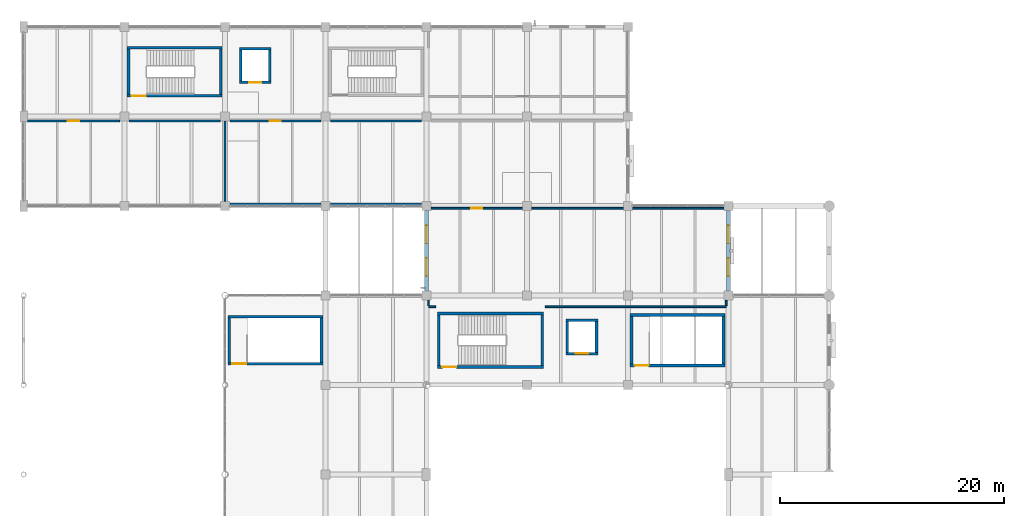
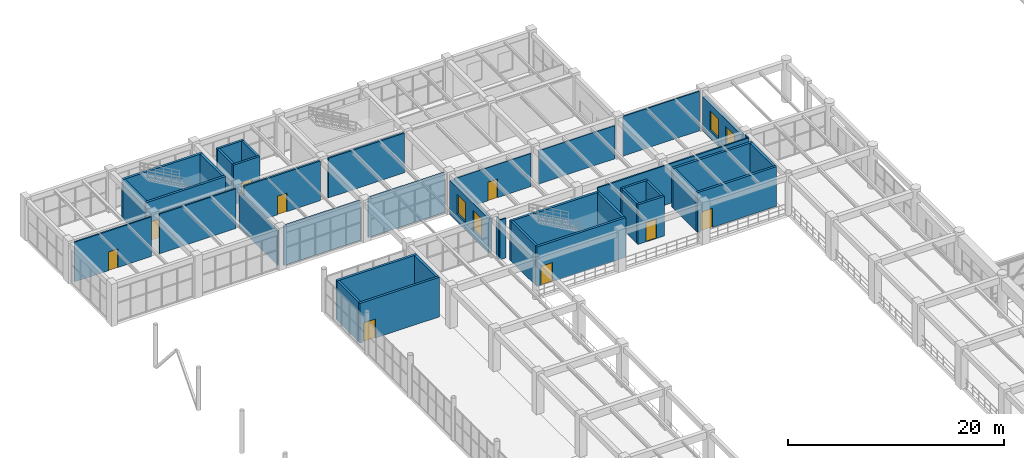
# One storey, part 154 of 178: 40 walls, 9 doors, 4 windows, 13 openings.
"""IFC4 building model written with IfcOpenShell, lengths in metres."""

from ifc_helpers import new_model, si_unit, derived_unit, direction, frame, frame_2d, origin, place, context, subcontext, project, spatial, rectangle, extrude, material, layer, layer_set, type_object, element, fill, save


model = new_model("IFC4")

# Units and contexts
model_context = context("Model", 3, precision=1e-05, world=origin(), true_north=direction((0.0, 1.0)))
body_context = subcontext(model_context, "Body", "Model", "MODEL_VIEW")
ifc_project = project(units=[si_unit("LENGTHUNIT", "METRE"), si_unit("AREAUNIT", "SQUARE_METRE"), si_unit("VOLUMEUNIT", "CUBIC_METRE"), si_unit("PLANEANGLEUNIT", "RADIAN"), si_unit("MASSUNIT", "GRAM", prefix="KILO"), derived_unit("THERMALTRANSMITTANCEUNIT", [(si_unit("MASSUNIT", "GRAM", prefix="KILO"), 1), (si_unit("TIMEUNIT", "SECOND"), -3), (si_unit("THERMODYNAMICTEMPERATUREUNIT", "KELVIN"), -1)])], contexts=[model_context])

# Site, building, storey
site_placement = place(None, origin())
site = spatial("IfcSite", under=ifc_project, at=site_placement, CompositionType="ELEMENT")
building_placement = place(site_placement, origin())
building = spatial("IfcBuilding", under=site, at=building_placement, Name="Zhenchuan Archway Interchange", CompositionType="ELEMENT")
storey_placement = place(building_placement, frame((0.0, 0.0, 5.39990234375)))
storey = spatial("IfcBuildingStorey", under=building, at=storey_placement, Name="L01", CompositionType="ELEMENT", Elevation=5.39990234375)

# Wall, openings, windows
ifc_material_1 = material(Name="Terracotta Masonry", Category="masonry")
ifc_layer_1 = layer(ifc_material_1, 0.340087890625)
ifc_layer_set_1 = layer_set([ifc_layer_1], Name="Terracotta Masonry")
wall_type_1 = type_object("IfcWallType", Name="EW_TERRA_340", PredefinedType="STANDARD", material=ifc_layer_set_1)
wall_1_placement = place(storey_placement, frame((36.0, 88.39794921875, 0.0), z_axis=(0.0, 0.0, 1.0), x_axis=(0.0, 1.0, 0.0)))
wall_1 = element("IfcWall", 1, at=wall_1_placement, inside=storey, type_object=wall_type_1, Name="Exterior wall L01-013", PredefinedType="STANDARD", context=body_context, shape_type="SweptSolid", body=[
    extrude(rectangle(XDim=7.2041015625, YDim=0.340087890625, at=frame_2d((3.60205078125, 0.0))), origin(), (0.0, 0.0, 1.0), 3.860107421875),
])
opening_1_placement = place(wall_1_placement, frame((1.334716796875, 0.0, 0.89990234375)))
opening_1 = element("IfcOpeningElement", 2, at=opening_1_placement, cuts=wall_1, Name="Opening W-04", PredefinedType="OPENING", context=body_context, shape_type="SweptSolid", body=[
    extrude(rectangle(XDim=1.60009765625, YDim=2.199951171875, at=frame_2d((0.800048828125, 1.10009765625))), frame((0.0, 0.18212890625, 0.0), z_axis=(0.0, -1.0, 0.0), x_axis=(1.0, 0.0, 0.0)), (0.0, 0.0, 1.0), 0.364013671875),
])
opening_2_placement = place(wall_1_placement, frame((4.269287109375, 0.0, 0.89990234375)))
opening_2 = element("IfcOpeningElement", 3, at=opening_2_placement, cuts=wall_1, Name="Opening W-04", PredefinedType="OPENING", context=body_context, shape_type="SweptSolid", body=[
    extrude(rectangle(XDim=1.60009765625, YDim=2.199951171875, at=frame_2d((0.800048828125, 1.10009765625))), frame((0.0, 0.18212890625, 0.0), z_axis=(0.0, -1.0, 0.0), x_axis=(1.0, 0.0, 0.0)), (0.0, 0.0, 1.0), 0.364013671875),
])
ifc_material_2 = material(Name="Double Low-E Insulated Glazing", Category="glass")
window_type = type_object("IfcWindowType", Name="WN_PUNCH_1600x2200", PartitioningType="SINGLE_PANEL", PredefinedType="WINDOW", material=ifc_material_2)
window_1_placement = place(opening_1_placement, origin())
window_1 = element("IfcWindow", 4, at=window_1_placement, inside=storey, type_object=window_type, Name="Window L01-0106", OverallHeight=2.199951171875, OverallWidth=1.60009765625, PartitioningType="SINGLE_PANEL", PredefinedType="WINDOW", context=body_context, shape_type="SweptSolid", body=[
    extrude(rectangle(XDim=1.60009765625, YDim=2.199951171875, at=frame_2d((0.800048828125, 1.10009765625))), frame((0.0, 0.030029296875, 0.0), z_axis=(0.0, -1.0, 0.0), x_axis=(1.0, 0.0, 0.0)), (0.0, 0.0, 1.0), 0.06005859375),
])
fill(opening_1, window_1)
window_2_placement = place(opening_2_placement, origin())
window_2 = element("IfcWindow", 5, at=window_2_placement, inside=storey, type_object=window_type, Name="Window L01-0107", OverallHeight=2.199951171875, OverallWidth=1.60009765625, PartitioningType="SINGLE_PANEL", PredefinedType="WINDOW", context=body_context, shape_type="SweptSolid", body=[
    extrude(rectangle(XDim=1.60009765625, YDim=2.199951171875, at=frame_2d((0.800048828125, 1.10009765625))), frame((0.0, 0.030029296875, 0.0), z_axis=(0.0, -1.0, 0.0), x_axis=(1.0, 0.0, 0.0)), (0.0, 0.0, 1.0), 0.06005859375),
])
fill(opening_2, window_2)

wall_2_placement = place(storey_placement, frame((63.0, 95.60205078125, 0.0), z_axis=(0.0, 0.0, 1.0), x_axis=(0.0, -1.0, 0.0)))
wall_2 = element("IfcWall", 6, at=wall_2_placement, inside=storey, type_object=wall_type_1, Name="Exterior wall L01-029", PredefinedType="STANDARD", context=body_context, shape_type="SweptSolid", body=[
    extrude(rectangle(XDim=7.2041015625, YDim=0.340087890625, at=frame_2d((3.60205078125, 0.0))), origin(), (0.0, 0.0, 1.0), 3.860107421875),
])
opening_3_placement = place(wall_2_placement, frame((1.334716796875, 0.0, 0.89990234375)))
opening_3 = element("IfcOpeningElement", 7, at=opening_3_placement, cuts=wall_2, Name="Opening W-04", PredefinedType="OPENING", context=body_context, shape_type="SweptSolid", body=[
    extrude(rectangle(XDim=1.60009765625, YDim=2.199951171875, at=frame_2d((0.800048828125, 1.10009765625))), frame((0.0, 0.18212890625, 0.0), z_axis=(0.0, -1.0, 0.0), x_axis=(1.0, 0.0, 0.0)), (0.0, 0.0, 1.0), 0.364013671875),
])
opening_4_placement = place(wall_2_placement, frame((4.269287109375, 0.0, 0.89990234375)))
opening_4 = element("IfcOpeningElement", 8, at=opening_4_placement, cuts=wall_2, Name="Opening W-04", PredefinedType="OPENING", context=body_context, shape_type="SweptSolid", body=[
    extrude(rectangle(XDim=1.60009765625, YDim=2.199951171875, at=frame_2d((0.800048828125, 1.10009765625))), frame((0.0, 0.18212890625, 0.0), z_axis=(0.0, -1.0, 0.0), x_axis=(1.0, 0.0, 0.0)), (0.0, 0.0, 1.0), 0.364013671875),
])
window_3_placement = place(opening_3_placement, origin())
window_3 = element("IfcWindow", 9, at=window_3_placement, inside=storey, type_object=window_type, Name="Window L01-0112", OverallHeight=2.199951171875, OverallWidth=1.60009765625, PartitioningType="SINGLE_PANEL", PredefinedType="WINDOW", context=body_context, shape_type="SweptSolid", body=[
    extrude(rectangle(XDim=1.60009765625, YDim=2.199951171875, at=frame_2d((0.800048828125, 1.10009765625))), frame((0.0, 0.030029296875, 0.0), z_axis=(0.0, -1.0, 0.0), x_axis=(1.0, 0.0, 0.0)), (0.0, 0.0, 1.0), 0.06005859375),
])
fill(opening_3, window_3)
window_4_placement = place(opening_4_placement, origin())
window_4 = element("IfcWindow", 10, at=window_4_placement, inside=storey, type_object=window_type, Name="Window L01-0113", OverallHeight=2.199951171875, OverallWidth=1.60009765625, PartitioningType="SINGLE_PANEL", PredefinedType="WINDOW", context=body_context, shape_type="SweptSolid", body=[
    extrude(rectangle(XDim=1.60009765625, YDim=2.199951171875, at=frame_2d((0.800048828125, 1.10009765625))), frame((0.0, 0.030029296875, 0.0), z_axis=(0.0, -1.0, 0.0), x_axis=(1.0, 0.0, 0.0)), (0.0, 0.0, 1.0), 0.06005859375),
])
fill(opening_4, window_4)

# Wall, opening, door
ifc_material_3 = material(Name="Concrete C40", Category="concrete")
ifc_layer_2 = layer(ifc_material_3, 0.239990234375)
ifc_layer_set_2 = layer_set([ifc_layer_2], Name="Concrete C40")
wall_type_2 = type_object("IfcWallType", Name="WL_LIFT_240", PredefinedType="SHEAR", material=ifc_layer_set_2)
wall_3_placement = place(storey_placement, frame((48.47998046875, 82.800048828125, 0.0), z_axis=(0.0, 0.0, 1.0), x_axis=(1.0, 0.0, 0.0)))
wall_3 = element("IfcWall", 11, at=wall_3_placement, inside=storey, type_object=wall_type_2, Name="Lift LF-02 south shaft wall (L01)", PredefinedType="SHEAR", context=body_context, shape_type="SweptSolid", body=[
    extrude(rectangle(XDim=2.840087890625, YDim=0.239990234375, at=frame_2d((1.419921875, 0.0))), origin(), (0.0, 0.0, 1.0), 4.47998046875),
])
opening_5_placement = place(wall_3_placement, frame((0.8701171875, 0.0, 0.0)))
opening_5 = element("IfcOpeningElement", 12, at=opening_5_placement, cuts=wall_3, Name="Opening LD-01", PredefinedType="OPENING", context=body_context, shape_type="SweptSolid", body=[
    extrude(rectangle(XDim=1.10009765625, YDim=2.199951171875, at=frame_2d((0.550048828125, 1.10009765625))), frame((0.0, 0.1318359375, 0.0), z_axis=(0.0, -1.0, 0.0), x_axis=(1.0, 0.0, 0.0)), (0.0, 0.0, 1.0), 0.263916015625),
])
ifc_material_4 = material(Name="Stainless Steel 304", Category="steel")
door_type_1 = type_object("IfcDoorType", Name="DR_LIFT_LD110", OperationType="DOUBLE_DOOR_SLIDING", PredefinedType="DOOR", material=ifc_material_4)
door_1_placement = place(opening_5_placement, origin())
door_1 = element("IfcDoor", 13, at=door_1_placement, inside=storey, type_object=door_type_1, Name="Lift LF-02 landing door (L01)", OperationType="DOUBLE_DOOR_SLIDING", OverallHeight=2.199951171875, OverallWidth=1.10009765625, PredefinedType="DOOR", context=body_context, shape_type="SweptSolid", body=[
    extrude(rectangle(XDim=1.10009765625, YDim=2.199951171875, at=frame_2d((0.550048828125, 1.10009765625))), frame((0.0, 0.02490234375, 0.0), z_axis=(0.0, -1.0, 0.0), x_axis=(1.0, 0.0, 0.0)), (0.0, 0.0, 1.0), 0.050048828125),
])
fill(opening_5, door_1)

# Walls
wall_4_placement = place(storey_placement, frame((51.320068359375, 85.800048828125, 0.0), z_axis=(0.0, 0.0, 1.0), x_axis=(-1.0, 0.0, 0.0)))
element("IfcWall", 14, at=wall_4_placement, inside=storey, type_object=wall_type_2, Name="Lift LF-02 north shaft wall (L01)", PredefinedType="SHEAR", context=body_context, shape_type="SweptSolid", body=[
    extrude(rectangle(XDim=2.840087890625, YDim=0.239990234375, at=frame_2d((1.419921875, 0.0))), origin(), (0.0, 0.0, 1.0), 4.47998046875),
])
for number, where, z_axis, x_axis, name in (
    (15, (48.60009765625, 85.679931640625, 0.0), (0.0, 0.0, 1.0), (0.0, -1.0, 0.0), "Lift LF-02 west shaft wall (L01)"),
    (16, (51.199951171875, 82.919921875, 0.0), (0.0, 0.0, 1.0), (0.0, 1.0, 0.0), "Lift LF-02 east shaft wall (L01)"),
):
    element("IfcWall", number, at=place(storey_placement, frame(where, z_axis=z_axis, x_axis=x_axis)), inside=storey, type_object=wall_type_2, Name=name, PredefinedType="SHEAR", context=body_context, shape_type="SweptSolid", body=[
        extrude(rectangle(XDim=2.760009765625, YDim=0.239990234375, at=frame_2d((1.3798828125, 0.0))), origin(), (0.0, 0.0, 1.0), 4.47998046875),
    ])

# Wall, opening, door
wall_5_placement = place(storey_placement, frame((19.280029296875, 107.050048828125, 0.0), z_axis=(0.0, 0.0, 1.0), x_axis=(1.0, 0.0, 0.0)))
wall_5 = element("IfcWall", 17, at=wall_5_placement, inside=storey, type_object=wall_type_2, Name="Lift LF-04 south shaft wall (L01)", PredefinedType="SHEAR", context=body_context, shape_type="SweptSolid", body=[
    extrude(rectangle(XDim=2.840087890625, YDim=0.239990234375, at=frame_2d((1.419921875, 0.0))), origin(), (0.0, 0.0, 1.0), 4.47998046875),
])
opening_6_placement = place(wall_5_placement, frame((0.8701171875, 0.0, 0.0)))
opening_6 = element("IfcOpeningElement", 18, at=opening_6_placement, cuts=wall_5, Name="Opening LD-01", PredefinedType="OPENING", context=body_context, shape_type="SweptSolid", body=[
    extrude(rectangle(XDim=1.10009765625, YDim=2.199951171875, at=frame_2d((0.550048828125, 1.10009765625))), frame((0.0, 0.1318359375, 0.0), z_axis=(0.0, -1.0, 0.0), x_axis=(1.0, 0.0, 0.0)), (0.0, 0.0, 1.0), 0.263916015625),
])
door_2_placement = place(opening_6_placement, origin())
door_2 = element("IfcDoor", 19, at=door_2_placement, inside=storey, type_object=door_type_1, Name="Lift LF-04 landing door (L01)", OperationType="DOUBLE_DOOR_SLIDING", OverallHeight=2.199951171875, OverallWidth=1.10009765625, PredefinedType="DOOR", context=body_context, shape_type="SweptSolid", body=[
    extrude(rectangle(XDim=1.10009765625, YDim=2.199951171875, at=frame_2d((0.550048828125, 1.10009765625))), frame((0.0, 0.02490234375, 0.0), z_axis=(0.0, -1.0, 0.0), x_axis=(1.0, 0.0, 0.0)), (0.0, 0.0, 1.0), 0.050048828125),
])
fill(opening_6, door_2)

# Walls
wall_6_placement = place(storey_placement, frame((22.1201171875, 110.050048828125, 0.0), z_axis=(0.0, 0.0, 1.0), x_axis=(-1.0, 0.0, 0.0)))
element("IfcWall", 20, at=wall_6_placement, inside=storey, type_object=wall_type_2, Name="Lift LF-04 north shaft wall (L01)", PredefinedType="SHEAR", context=body_context, shape_type="SweptSolid", body=[
    extrude(rectangle(XDim=2.840087890625, YDim=0.239990234375, at=frame_2d((1.419921875, 0.0))), origin(), (0.0, 0.0, 1.0), 4.47998046875),
])
for number, where, z_axis, x_axis, name in (
    (21, (19.39990234375, 109.929931640625, 0.0), (0.0, 0.0, 1.0), (0.0, -1.0, 0.0), "Lift LF-04 west shaft wall (L01)"),
    (22, (22.0, 107.169921875, 0.0), (0.0, 0.0, 1.0), (0.0, 1.0, 0.0), "Lift LF-04 east shaft wall (L01)"),
):
    element("IfcWall", number, at=place(storey_placement, frame(where, z_axis=z_axis, x_axis=x_axis)), inside=storey, type_object=wall_type_2, Name=name, PredefinedType="SHEAR", context=body_context, shape_type="SweptSolid", body=[
        extrude(rectangle(XDim=2.760009765625, YDim=0.239990234375, at=frame_2d((1.3798828125, 0.0))), origin(), (0.0, 0.0, 1.0), 4.47998046875),
    ])
ifc_material_5 = material(Name="Gypsum Plasterboard", Category="gypsum")
ifc_layer_3 = layer(ifc_material_5, 0.14990234375)
ifc_layer_set_3 = layer_set([ifc_layer_3], Name="Gypsum Plasterboard")
wall_type_3 = type_object("IfcWallType", Name="WL_PART_150", PredefinedType="STANDARD", material=ifc_layer_set_3)
wall_7_placement = place(storey_placement, frame((36.199951171875, 87.0, 0.0), z_axis=(0.0, 0.0, 1.0), x_axis=(1.0, 0.0, 0.0)))
element("IfcWall", 23, at=wall_7_placement, inside=storey, type_object=wall_type_3, Name="North Mezzanine Tea and Espresso Bar S partition (L01)", PredefinedType="STANDARD", context=body_context, shape_type="SweptSolid", body=[
    extrude(rectangle(XDim=0.625, YDim=0.14990234375, at=frame_2d((0.3125, 0.0))), origin(), (0.0, 0.0, 1.0), 4.47998046875),
])
wall_8_placement = place(storey_placement, frame((46.625, 87.0, 0.0), z_axis=(0.0, 0.0, 1.0), x_axis=(1.0, 0.0, 0.0)))
element("IfcWall", 24, at=wall_8_placement, inside=storey, type_object=wall_type_3, Name="North Mezzanine Tea and Espresso Bar S partition (L01)", PredefinedType="STANDARD", context=body_context, shape_type="SweptSolid", body=[
    extrude(rectangle(XDim=16.175048828125, YDim=0.14990234375, at=frame_2d((8.08740234375, 0.0))), origin(), (0.0, 0.0, 1.0), 4.47998046875),
])

# Wall, opening, door
wall_9_placement = place(storey_placement, frame((36.425048828125, 95.800048828125, 0.0), z_axis=(0.0, 0.0, 1.0), x_axis=(1.0, 0.0, 0.0)))
wall_9 = element("IfcWall", 25, at=wall_9_placement, inside=storey, type_object=wall_type_3, Name="North Mezzanine Tea and Espresso Bar N partition (L01)", PredefinedType="STANDARD", context=body_context, shape_type="SweptSolid", body=[
    extrude(rectangle(XDim=8.14990234375, YDim=0.14990234375, at=frame_2d((4.074951171875, 0.0))), origin(), (0.0, 0.0, 1.0), 3.760009765625),
])
opening_7_placement = place(wall_9_placement, frame((3.574951171875, 0.0, 0.0)))
opening_7 = element("IfcOpeningElement", 26, at=opening_7_placement, cuts=wall_9, Name="Opening ID-02", PredefinedType="OPENING", context=body_context, shape_type="SweptSolid", body=[
    extrude(rectangle(XDim=1.0, YDim=2.10009765625, at=frame_2d((0.5, 1.050048828125))), frame((0.0, 0.0869140625, 0.0), z_axis=(0.0, -1.0, 0.0), x_axis=(1.0, 0.0, 0.0)), (0.0, 0.0, 1.0), 0.173828125),
])
ifc_material_6 = material(Name="Hardwood Timber", Category="wood")
door_type_2 = type_object("IfcDoorType", Name="DR_OPS_100", OperationType="NOTDEFINED", PredefinedType="DOOR", material=ifc_material_6)
door_3_placement = place(opening_7_placement, origin())
door_3 = element("IfcDoor", 27, at=door_3_placement, inside=storey, type_object=door_type_2, Name="North Mezzanine Tea and Espresso Bar door (L01)", OperationType="SINGLE_SWING_LEFT", OverallHeight=2.10009765625, OverallWidth=1.0, PredefinedType="DOOR", context=body_context, shape_type="SweptSolid", body=[
    extrude(rectangle(XDim=1.0, YDim=2.10009765625, at=frame_2d((0.5, 1.050048828125))), frame((0.0, 0.02490234375, 0.0), z_axis=(0.0, -1.0, 0.0), x_axis=(1.0, 0.0, 0.0)), (0.0, 0.0, 1.0), 0.050048828125),
])
fill(opening_7, door_3)

# Walls
wall_10_placement = place(storey_placement, frame((45.425048828125, 95.800048828125, 0.0), z_axis=(0.0, 0.0, 1.0), x_axis=(1.0, 0.0, 0.0)))
element("IfcWall", 28, at=wall_10_placement, inside=storey, type_object=wall_type_3, Name="North Mezzanine Tea and Espresso Bar N partition (L01)", PredefinedType="STANDARD", context=body_context, shape_type="SweptSolid", body=[
    extrude(rectangle(XDim=8.14990234375, YDim=0.14990234375, at=frame_2d((4.074951171875, 0.0))), origin(), (0.0, 0.0, 1.0), 3.760009765625),
])
wall_11_placement = place(storey_placement, frame((54.425048828125, 95.800048828125, 0.0), z_axis=(0.0, 0.0, 1.0), x_axis=(1.0, 0.0, 0.0)))
element("IfcWall", 29, at=wall_11_placement, inside=storey, type_object=wall_type_3, Name="North Mezzanine Tea and Espresso Bar N partition (L01)", PredefinedType="STANDARD", context=body_context, shape_type="SweptSolid", body=[
    extrude(rectangle(XDim=8.14990234375, YDim=0.14990234375, at=frame_2d((4.074951171875, 0.0))), origin(), (0.0, 0.0, 1.0), 4.47998046875),
])
for number, where, z_axis, x_axis, name in (
    (30, (36.199951171875, 87.0849609375, 0.0), (0.0, 0.0, 1.0), (0.0, 1.0, 0.0), "North Mezzanine Tea and Espresso Bar W partition (L01)"),
    (31, (62.800048828125, 87.0849609375, 0.0), (0.0, 0.0, 1.0), (0.0, 1.0, 0.0), "North Mezzanine Tea and Espresso Bar E partition (L01)"),
):
    element("IfcWall", number, at=place(storey_placement, frame(where, z_axis=z_axis, x_axis=x_axis)), inside=storey, type_object=wall_type_3, Name=name, PredefinedType="STANDARD", context=body_context, shape_type="SweptSolid", body=[
        extrude(rectangle(XDim=0.489990234375, YDim=0.14990234375, at=frame_2d((0.2451171875, 0.0))), origin(), (0.0, 0.0, 1.0), 4.47998046875),
    ])

# Wall, opening, door
wall_12_placement = place(storey_placement, frame((0.35009765625, 103.60009765625, 0.0), z_axis=(0.0, 0.0, 1.0), x_axis=(1.0, 0.0, 0.0)))
wall_12 = element("IfcWall", 32, at=wall_12_placement, inside=storey, type_object=wall_type_3, Name="Convenience Travel Shop N partition (L01)", PredefinedType="STANDARD", context=body_context, shape_type="SweptSolid", body=[
    extrude(rectangle(XDim=8.224853515625, YDim=0.14990234375, at=frame_2d((4.1123046875, 0.0))), origin(), (0.0, 0.0, 1.0), 4.47998046875),
])
opening_8_placement = place(wall_12_placement, frame((3.612548828125, 0.0, 0.0)))
opening_8 = element("IfcOpeningElement", 33, at=opening_8_placement, cuts=wall_12, Name="Opening ID-02", PredefinedType="OPENING", context=body_context, shape_type="SweptSolid", body=[
    extrude(rectangle(XDim=1.0, YDim=2.10009765625, at=frame_2d((0.5, 1.050048828125))), frame((0.0, 0.0869140625, 0.0), z_axis=(0.0, -1.0, 0.0), x_axis=(1.0, 0.0, 0.0)), (0.0, 0.0, 1.0), 0.173828125),
])
door_4_placement = place(opening_8_placement, origin())
door_4 = element("IfcDoor", 34, at=door_4_placement, inside=storey, type_object=door_type_2, Name="Convenience Travel Shop door (L01)", OperationType="SINGLE_SWING_RIGHT", OverallHeight=2.10009765625, OverallWidth=1.0, PredefinedType="DOOR", context=body_context, shape_type="SweptSolid", body=[
    extrude(rectangle(XDim=1.0, YDim=2.10009765625, at=frame_2d((0.5, 1.050048828125))), frame((0.0, 0.02490234375, 0.0), z_axis=(0.0, -1.0, 0.0), x_axis=(1.0, 0.0, 0.0)), (0.0, 0.0, 1.0), 0.050048828125),
])
fill(opening_8, door_4)

# Walls
wall_13_placement = place(storey_placement, frame((9.425048828125, 103.60009765625, 0.0), z_axis=(0.0, 0.0, 1.0), x_axis=(1.0, 0.0, 0.0)))
element("IfcWall", 35, at=wall_13_placement, inside=storey, type_object=wall_type_3, Name="Convenience Travel Shop N partition (L01)", PredefinedType="STANDARD", context=body_context, shape_type="SweptSolid", body=[
    extrude(rectangle(XDim=8.14990234375, YDim=0.14990234375, at=frame_2d((4.074951171875, 0.0))), origin(), (0.0, 0.0, 1.0), 4.47998046875),
])
wall_14_placement = place(storey_placement, frame((18.0, 96.425048828125, 0.0), z_axis=(0.0, 0.0, 1.0), x_axis=(0.0, 1.0, 0.0)))
element("IfcWall", 36, at=wall_14_placement, inside=storey, type_object=wall_type_3, Name="Convenience Travel Shop E partition (L01)", PredefinedType="STANDARD", context=body_context, shape_type="SweptSolid", body=[
    extrude(rectangle(XDim=7.14990234375, YDim=0.14990234375, at=frame_2d((3.574951171875, 0.0))), origin(), (0.0, 0.0, 1.0), 3.860107421875),
])
ifc_material_7 = material(Name="Concrete Block Masonry", Category="masonry")
ifc_layer_4 = layer(ifc_material_7, 0.179931640625)
ifc_layer_set_4 = layer_set([ifc_layer_4], Name="Concrete Block Masonry")
wall_type_4 = type_object("IfcWallType", Name="WL_PART_180", PredefinedType="STANDARD", material=ifc_layer_set_4)
for number, where, z_axis, x_axis, name in (
    (37, (18.425048828125, 96.199951171875, 0.0), (0.0, 0.0, 1.0), (1.0, 0.0, 0.0), "Intercity Coach Quiet Lounge S partition (L01)"),
    (38, (27.425048828125, 96.199951171875, 0.0), (0.0, 0.0, 1.0), (1.0, 0.0, 0.0), "Intercity Coach Quiet Lounge S partition (L01)"),
):
    element("IfcWall", number, at=place(storey_placement, frame(where, z_axis=z_axis, x_axis=x_axis)), inside=storey, type_object=wall_type_4, Name=name, PredefinedType="STANDARD", context=body_context, shape_type="SweptSolid", body=[
        extrude(rectangle(XDim=8.14990234375, YDim=0.179931640625, at=frame_2d((4.074951171875, 0.0))), origin(), (0.0, 0.0, 1.0), 4.47998046875),
    ])

# Wall, opening, door
wall_15_placement = place(storey_placement, frame((18.425048828125, 103.60009765625, 0.0), z_axis=(0.0, 0.0, 1.0), x_axis=(1.0, 0.0, 0.0)))
wall_15 = element("IfcWall", 39, at=wall_15_placement, inside=storey, type_object=wall_type_4, Name="Intercity Coach Quiet Lounge N partition (L01)", PredefinedType="STANDARD", context=body_context, shape_type="SweptSolid", body=[
    extrude(rectangle(XDim=8.14990234375, YDim=0.179931640625, at=frame_2d((4.074951171875, 0.0))), origin(), (0.0, 0.0, 1.0), 4.47998046875),
])
opening_9_placement = place(wall_15_placement, frame((3.574951171875, 0.0, 0.0)))
opening_9 = element("IfcOpeningElement", 40, at=opening_9_placement, cuts=wall_15, Name="Opening ID-02", PredefinedType="OPENING", context=body_context, shape_type="SweptSolid", body=[
    extrude(rectangle(XDim=1.0, YDim=2.10009765625, at=frame_2d((0.5, 1.050048828125))), frame((0.0, 0.10205078125, 0.0), z_axis=(0.0, -1.0, 0.0), x_axis=(1.0, 0.0, 0.0)), (0.0, 0.0, 1.0), 0.203857421875),
])
door_5_placement = place(opening_9_placement, origin())
door_5 = element("IfcDoor", 41, at=door_5_placement, inside=storey, type_object=door_type_2, Name="Intercity Coach Quiet Lounge door (L01)", OperationType="SINGLE_SWING_LEFT", OverallHeight=2.10009765625, OverallWidth=1.0, PredefinedType="DOOR", context=body_context, shape_type="SweptSolid", body=[
    extrude(rectangle(XDim=1.0, YDim=2.10009765625, at=frame_2d((0.5, 1.050048828125))), frame((0.0, 0.02490234375, 0.0), z_axis=(0.0, -1.0, 0.0), x_axis=(1.0, 0.0, 0.0)), (0.0, 0.0, 1.0), 0.050048828125),
])
fill(opening_9, door_5)

# Wall
wall_16_placement = place(storey_placement, frame((27.425048828125, 103.60009765625, 0.0), z_axis=(0.0, 0.0, 1.0), x_axis=(1.0, 0.0, 0.0)))
element("IfcWall", 42, at=wall_16_placement, inside=storey, type_object=wall_type_4, Name="Intercity Coach Quiet Lounge N partition (L01)", PredefinedType="STANDARD", context=body_context, shape_type="SweptSolid", body=[
    extrude(rectangle(XDim=8.14990234375, YDim=0.179931640625, at=frame_2d((4.074951171875, 0.0))), origin(), (0.0, 0.0, 1.0), 4.47998046875),
])

# Wall, opening, door
ifc_layer_5 = layer(ifc_material_3, 0.25)
ifc_layer_set_5 = layer_set([ifc_layer_5], Name="Concrete C40")
wall_type_5 = type_object("IfcWallType", Name="WL_STAIR_250", PredefinedType="SHEAR", material=ifc_layer_set_5)
wall_17_placement = place(storey_placement, frame((36.97509765625, 81.60009765625, 0.0), z_axis=(0.0, 0.0, 1.0), x_axis=(1.0, 0.0, 0.0)))
wall_17 = element("IfcWall", 43, at=wall_17_placement, inside=storey, type_object=wall_type_5, Name="Stair ST-M2 south wall (L01)", PredefinedType="SHEAR", context=body_context, shape_type="SweptSolid", body=[
    extrude(rectangle(XDim=9.5, YDim=0.25, at=frame_2d((4.75, 0.0))), origin(), (0.0, 0.0, 1.0), 4.47998046875),
])
opening_10_placement = place(wall_17_placement, frame((0.445068359375, 0.0, 0.0)))
opening_10 = element("IfcOpeningElement", 44, at=opening_10_placement, cuts=wall_17, Name="Opening FD-01", PredefinedType="OPENING", context=body_context, shape_type="SweptSolid", body=[
    extrude(rectangle(XDim=1.25, YDim=2.14990234375, at=frame_2d((0.625, 1.074951171875))), frame((0.0, 0.136962890625, 0.0), z_axis=(0.0, -1.0, 0.0), x_axis=(1.0, 0.0, 0.0)), (0.0, 0.0, 1.0), 0.27392578125),
])
ifc_material_8 = material(Name="Painted Galvanised Steel", Category="steel")
door_type_3 = type_object("IfcDoorType", Name="DR_STAIR_FD90", OperationType="NOTDEFINED", PredefinedType="DOOR", material=ifc_material_8)
door_6_placement = place(opening_10_placement, origin())
door_6 = element("IfcDoor", 45, at=door_6_placement, inside=storey, type_object=door_type_3, Name="Stair ST-M2 fire door (L01)", OperationType="SINGLE_SWING_LEFT", OverallHeight=2.14990234375, OverallWidth=1.25, PredefinedType="DOOR", context=body_context, shape_type="SweptSolid", body=[
    extrude(rectangle(XDim=1.25, YDim=2.14990234375, at=frame_2d((0.625, 1.074951171875))), frame((0.0, 0.02490234375, 0.0), z_axis=(0.0, -1.0, 0.0), x_axis=(1.0, 0.0, 0.0)), (0.0, 0.0, 1.0), 0.050048828125),
])
fill(opening_10, door_6)

# Walls
wall_18_placement = place(storey_placement, frame((46.47509765625, 86.39990234375, 0.0), z_axis=(0.0, 0.0, 1.0), x_axis=(-1.0, 0.0, 0.0)))
element("IfcWall", 46, at=wall_18_placement, inside=storey, type_object=wall_type_5, Name="Stair ST-M2 north wall (L01)", PredefinedType="SHEAR", context=body_context, shape_type="SweptSolid", body=[
    extrude(rectangle(XDim=9.5, YDim=0.25, at=frame_2d((4.75, 0.0))), origin(), (0.0, 0.0, 1.0), 4.47998046875),
])
for number, where, z_axis, x_axis, name in (
    (47, (37.10009765625, 86.27490234375, 0.0), (0.0, 0.0, 1.0), (0.0, -1.0, 0.0), "Stair ST-M2 west wall (L01)"),
    (48, (46.35009765625, 81.72509765625, 0.0), (0.0, 0.0, 1.0), (0.0, 1.0, 0.0), "Stair ST-M2 east wall (L01)"),
):
    element("IfcWall", number, at=place(storey_placement, frame(where, z_axis=z_axis, x_axis=x_axis)), inside=storey, type_object=wall_type_5, Name=name, PredefinedType="SHEAR", context=body_context, shape_type="SweptSolid", body=[
        extrude(rectangle(XDim=4.5498046875, YDim=0.25, at=frame_2d((2.27490234375, 0.0))), origin(), (0.0, 0.0, 1.0), 4.47998046875),
    ])

# Wall, opening, door
wall_19_placement = place(storey_placement, frame((54.195068359375, 81.75, 0.0), z_axis=(0.0, 0.0, 1.0), x_axis=(1.0, 0.0, 0.0)))
wall_19 = element("IfcWall", 49, at=wall_19_placement, inside=storey, type_object=wall_type_5, Name="Stair ST-M4 south wall (L01)", PredefinedType="SHEAR", context=body_context, shape_type="SweptSolid", body=[
    extrude(rectangle(XDim=8.489990234375, YDim=0.25, at=frame_2d((4.2451171875, 0.0))), origin(), (0.0, 0.0, 1.0), 4.47998046875),
])
opening_11_placement = place(wall_19_placement, frame((0.405029296875, 0.0, 0.0)))
opening_11 = element("IfcOpeningElement", 50, at=opening_11_placement, cuts=wall_19, Name="Opening FD-01", PredefinedType="OPENING", context=body_context, shape_type="SweptSolid", body=[
    extrude(rectangle(XDim=1.25, YDim=2.14990234375, at=frame_2d((0.625, 1.074951171875))), frame((0.0, 0.136962890625, 0.0), z_axis=(0.0, -1.0, 0.0), x_axis=(1.0, 0.0, 0.0)), (0.0, 0.0, 1.0), 0.27392578125),
])
door_7_placement = place(opening_11_placement, origin())
door_7 = element("IfcDoor", 51, at=door_7_placement, inside=storey, type_object=door_type_3, Name="Stair ST-M4 fire door (L01)", OperationType="SINGLE_SWING_LEFT", OverallHeight=2.14990234375, OverallWidth=1.25, PredefinedType="DOOR", context=body_context, shape_type="SweptSolid", body=[
    extrude(rectangle(XDim=1.25, YDim=2.14990234375, at=frame_2d((0.625, 1.074951171875))), frame((0.0, 0.02490234375, 0.0), z_axis=(0.0, -1.0, 0.0), x_axis=(1.0, 0.0, 0.0)), (0.0, 0.0, 1.0), 0.050048828125),
])
fill(opening_11, door_7)

# Walls
wall_20_placement = place(storey_placement, frame((62.68505859375, 86.25, 0.0), z_axis=(0.0, 0.0, 1.0), x_axis=(-1.0, 0.0, 0.0)))
element("IfcWall", 52, at=wall_20_placement, inside=storey, type_object=wall_type_5, Name="Stair ST-M4 north wall (L01)", PredefinedType="SHEAR", context=body_context, shape_type="SweptSolid", body=[
    extrude(rectangle(XDim=8.489990234375, YDim=0.25, at=frame_2d((4.2451171875, 0.0))), origin(), (0.0, 0.0, 1.0), 4.47998046875),
])
for number, where, z_axis, x_axis, name in (
    (53, (54.320068359375, 86.125, 0.0), (0.0, 0.0, 1.0), (0.0, -1.0, 0.0), "Stair ST-M4 west wall (L01)"),
    (54, (62.56005859375, 81.875, 0.0), (0.0, 0.0, 1.0), (0.0, 1.0, 0.0), "Stair ST-M4 east wall (L01)"),
):
    element("IfcWall", number, at=place(storey_placement, frame(where, z_axis=z_axis, x_axis=x_axis)), inside=storey, type_object=wall_type_5, Name=name, PredefinedType="SHEAR", context=body_context, shape_type="SweptSolid", body=[
        extrude(rectangle(XDim=4.25, YDim=0.25, at=frame_2d((2.125, 0.0))), origin(), (0.0, 0.0, 1.0), 4.47998046875),
    ])

# Wall, opening, door
wall_21_placement = place(storey_placement, frame((18.2548828125, 81.89990234375, 0.0), z_axis=(0.0, 0.0, 1.0), x_axis=(1.0, 0.0, 0.0)))
wall_21 = element("IfcWall", 55, at=wall_21_placement, inside=storey, type_object=wall_type_5, Name="Stair ST-B2 south wall (L01)", PredefinedType="SHEAR", context=body_context, shape_type="SweptSolid", body=[
    extrude(rectangle(XDim=8.490234375, YDim=0.25, at=frame_2d((4.2451171875, 0.0))), origin(), (0.0, 0.0, 1.0), 4.47998046875),
])
opening_12_placement = place(wall_21_placement, frame((0.405029296875, 0.0, 0.0)))
opening_12 = element("IfcOpeningElement", 56, at=opening_12_placement, cuts=wall_21, Name="Opening FD-01", PredefinedType="OPENING", context=body_context, shape_type="SweptSolid", body=[
    extrude(rectangle(XDim=1.25, YDim=2.14990234375, at=frame_2d((0.625, 1.074951171875))), frame((0.0, 0.136962890625, 0.0), z_axis=(0.0, -1.0, 0.0), x_axis=(1.0, 0.0, 0.0)), (0.0, 0.0, 1.0), 0.27392578125),
])
door_8_placement = place(opening_12_placement, origin())
door_8 = element("IfcDoor", 57, at=door_8_placement, inside=storey, type_object=door_type_3, Name="Stair ST-B2 fire door (L01)", OperationType="SINGLE_SWING_LEFT", OverallHeight=2.14990234375, OverallWidth=1.25, PredefinedType="DOOR", context=body_context, shape_type="SweptSolid", body=[
    extrude(rectangle(XDim=1.25, YDim=2.14990234375, at=frame_2d((0.625, 1.074951171875))), frame((0.0, 0.02490234375, 0.0), z_axis=(0.0, -1.0, 0.0), x_axis=(1.0, 0.0, 0.0)), (0.0, 0.0, 1.0), 0.050048828125),
])
fill(opening_12, door_8)

# Walls
wall_22_placement = place(storey_placement, frame((26.7451171875, 86.10009765625, 0.0), z_axis=(0.0, 0.0, 1.0), x_axis=(-1.0, 0.0, 0.0)))
element("IfcWall", 58, at=wall_22_placement, inside=storey, type_object=wall_type_5, Name="Stair ST-B2 north wall (L01)", PredefinedType="SHEAR", context=body_context, shape_type="SweptSolid", body=[
    extrude(rectangle(XDim=8.490234375, YDim=0.25, at=frame_2d((4.2451171875, 0.0))), origin(), (0.0, 0.0, 1.0), 4.47998046875),
])
for number, where, z_axis, x_axis, name in (
    (59, (18.3798828125, 85.97509765625, 0.0), (0.0, 0.0, 1.0), (0.0, -1.0, 0.0), "Stair ST-B2 west wall (L01)"),
    (60, (26.6201171875, 82.02490234375, 0.0), (0.0, 0.0, 1.0), (0.0, 1.0, 0.0), "Stair ST-B2 east wall (L01)"),
):
    element("IfcWall", number, at=place(storey_placement, frame(where, z_axis=z_axis, x_axis=x_axis)), inside=storey, type_object=wall_type_5, Name=name, PredefinedType="SHEAR", context=body_context, shape_type="SweptSolid", body=[
        extrude(rectangle(XDim=3.9501953125, YDim=0.25, at=frame_2d((1.97509765625, 0.0))), origin(), (0.0, 0.0, 1.0), 4.47998046875),
    ])

# Wall, opening, door
wall_23_placement = place(storey_placement, frame((9.2548828125, 105.85009765625, 0.0), z_axis=(0.0, 0.0, 1.0), x_axis=(1.0, 0.0, 0.0)))
wall_23 = element("IfcWall", 61, at=wall_23_placement, inside=storey, type_object=wall_type_5, Name="Stair ST-W1 south wall (L01)", PredefinedType="SHEAR", context=body_context, shape_type="SweptSolid", body=[
    extrude(rectangle(XDim=8.490234375, YDim=0.25, at=frame_2d((4.2451171875, 0.0))), origin(), (0.0, 0.0, 1.0), 4.47998046875),
])
opening_13_placement = place(wall_23_placement, frame((0.405029296875, 0.0, 0.0)))
opening_13 = element("IfcOpeningElement", 62, at=opening_13_placement, cuts=wall_23, Name="Opening FD-01", PredefinedType="OPENING", context=body_context, shape_type="SweptSolid", body=[
    extrude(rectangle(XDim=1.25, YDim=2.14990234375, at=frame_2d((0.625, 1.074951171875))), frame((0.0, 0.136962890625, 0.0), z_axis=(0.0, -1.0, 0.0), x_axis=(1.0, 0.0, 0.0)), (0.0, 0.0, 1.0), 0.27392578125),
])
door_9_placement = place(opening_13_placement, origin())
door_9 = element("IfcDoor", 63, at=door_9_placement, inside=storey, type_object=door_type_3, Name="Stair ST-W1 fire door (L01)", OperationType="SINGLE_SWING_RIGHT", OverallHeight=2.14990234375, OverallWidth=1.25, PredefinedType="DOOR", context=body_context, shape_type="SweptSolid", body=[
    extrude(rectangle(XDim=1.25, YDim=2.14990234375, at=frame_2d((0.625, 1.074951171875))), frame((0.0, 0.02490234375, 0.0), z_axis=(0.0, -1.0, 0.0), x_axis=(1.0, 0.0, 0.0)), (0.0, 0.0, 1.0), 0.050048828125),
])
fill(opening_13, door_9)

# Walls
wall_24_placement = place(storey_placement, frame((17.7451171875, 110.14990234375, 0.0), z_axis=(0.0, 0.0, 1.0), x_axis=(-1.0, 0.0, 0.0)))
element("IfcWall", 64, at=wall_24_placement, inside=storey, type_object=wall_type_5, Name="Stair ST-W1 north wall (L01)", PredefinedType="SHEAR", context=body_context, shape_type="SweptSolid", body=[
    extrude(rectangle(XDim=8.490234375, YDim=0.25, at=frame_2d((4.2451171875, 0.0))), origin(), (0.0, 0.0, 1.0), 4.47998046875),
])
for number, where, z_axis, x_axis, name in (
    (65, (9.3798828125, 110.02490234375, 0.0), (0.0, 0.0, 1.0), (0.0, -1.0, 0.0), "Stair ST-W1 west wall (L01)"),
    (66, (17.6201171875, 105.97509765625, 0.0), (0.0, 0.0, 1.0), (0.0, 1.0, 0.0), "Stair ST-W1 east wall (L01)"),
):
    element("IfcWall", number, at=place(storey_placement, frame(where, z_axis=z_axis, x_axis=x_axis)), inside=storey, type_object=wall_type_5, Name=name, PredefinedType="SHEAR", context=body_context, shape_type="SweptSolid", body=[
        extrude(rectangle(XDim=4.0498046875, YDim=0.25, at=frame_2d((2.02490234375, 0.0))), origin(), (0.0, 0.0, 1.0), 4.47998046875),
    ])

save(model, "model.ifc")
